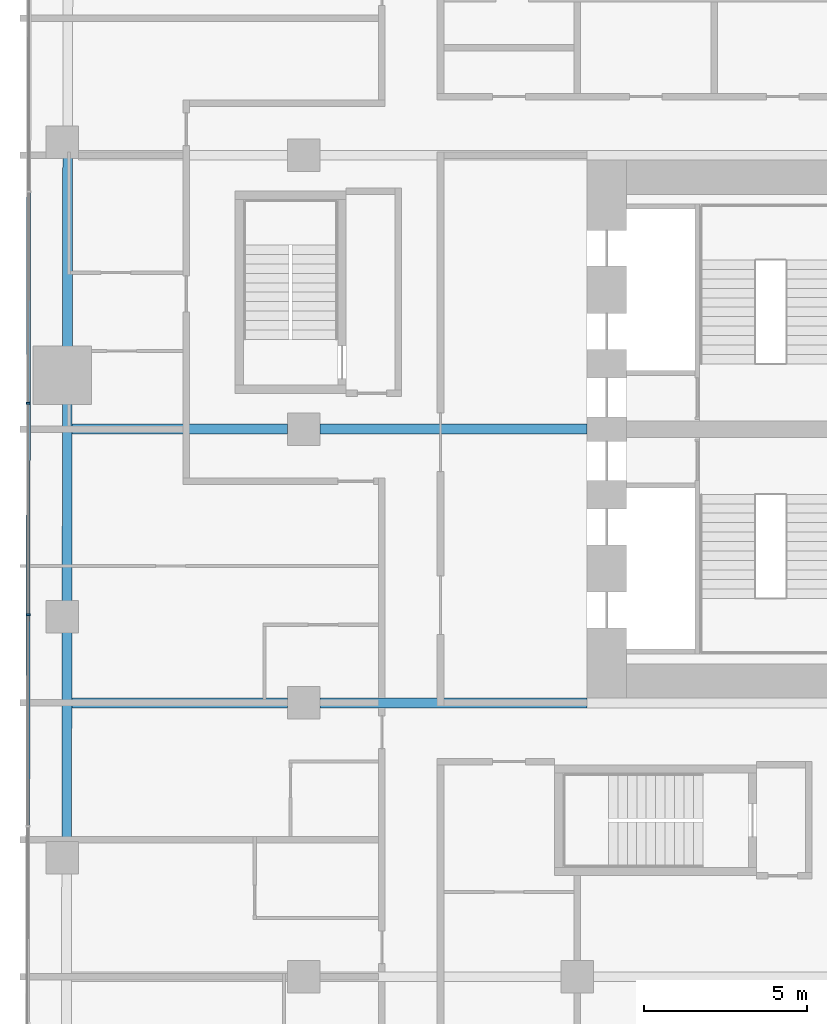
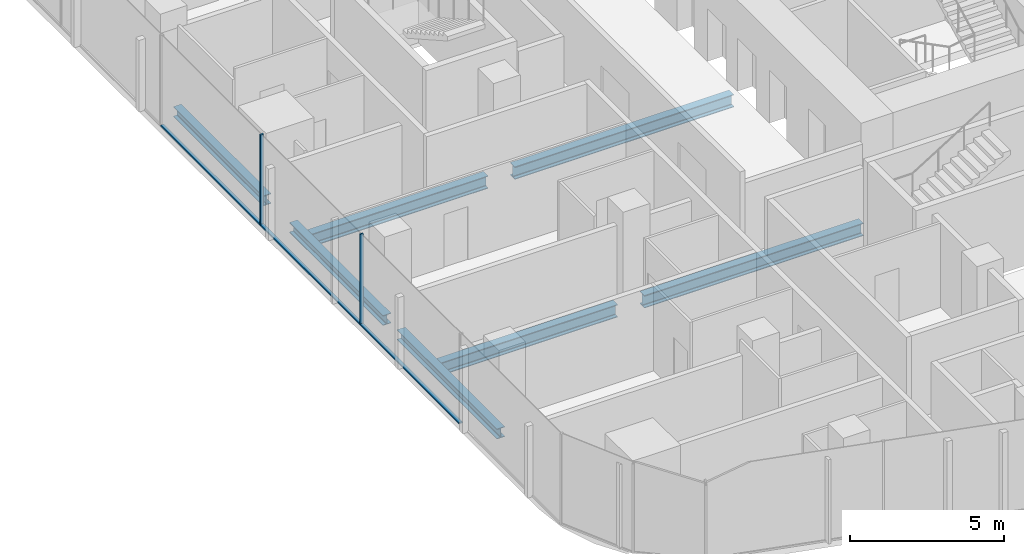
# One storey, part 4 of 26: 7 beams, 5 members, 1 element without a shape of its own.
"""IFC4 building model written with IfcOpenShell, lengths in metres."""

from ifc_helpers import new_model, si_unit, direction, frame, origin, origin_2d, place, context, subcontext, project, spatial, rectangle, i_section, extrude, material, layer, layer_set, material_profile, profile_set, type_object, element, aggregate, save


model = new_model("IFC4")

# Units and contexts
model_context = context("Model", 3, precision=1e-05, world=origin(), true_north=direction((0.0, 1.0)))
body_context = subcontext(model_context, "Body", "Model", "MODEL_VIEW")
ifc_project = project(units=[si_unit("LENGTHUNIT", "METRE"), si_unit("AREAUNIT", "SQUARE_METRE"), si_unit("VOLUMEUNIT", "CUBIC_METRE"), si_unit("PLANEANGLEUNIT", "RADIAN"), si_unit("MASSUNIT", "GRAM", prefix="KILO")], contexts=[model_context])

# Site, building, storey
site_placement = place(None, origin())
site = spatial("IfcSite", under=ifc_project, at=site_placement, CompositionType="ELEMENT")
building_placement = place(site_placement, origin())
building = spatial("IfcBuilding", under=site, at=building_placement, Name="Marenta Gate Hotel Tower", CompositionType="ELEMENT")
storey_placement = place(building_placement, frame((0.0, 0.0, 72.5)))
storey = spatial("IfcBuildingStorey", under=building, at=storey_placement, Name="L16", CompositionType="ELEMENT", Elevation=72.5)

# Beams
ifc_material_1 = material(Name="Steel S355", Category="steel")
ifc_material_profile_1 = material_profile(ifc_material_1, i_section(OverallWidth=0.300048828125, OverallDepth=0.39990234375, WebThickness=0.013427734375, FlangeThickness=0.02392578125, FilletRadius=0.027099609375, at=origin_2d()), Name="HEB 400")
ifc_profile_set_1 = profile_set([ifc_material_profile_1], Name="Steel S355")
beam_type_1 = type_object("IfcBeamType", Name="Edge beam HEB 400", PredefinedType="SPANDREL", material=ifc_profile_set_1)
beam_1_placement = place(storey_placement, frame((-28.267333984375, -4.2919921875, -0.4599609375), z_axis=(0.001393753119, 0.999999028726, 0.0), x_axis=(-0.999999028726, 0.001393753119, 0.0)))
element("IfcBeam", 1, at=beam_1_placement, inside=storey, type_object=beam_type_1, Name="L16-EB-6", PredefinedType="SPANDREL", context=body_context, shape_type="SweptSolid", body=[
    extrude(i_section(OverallWidth=0.300048828125, OverallDepth=0.39990234375, WebThickness=0.013427734375, FlangeThickness=0.02392578125, FilletRadius=0.027099609375, at=origin_2d()), origin(), (0.0, 0.0, 1.0), 6.481201171875),
])
beam_2_placement = place(storey_placement, frame((-28.257080078125, 3.109130859375, -0.4599609375), z_axis=(0.001405226059, 0.999999012669, 0.0), x_axis=(-0.999999012669, 0.001405226059, 0.0)))
element("IfcBeam", 2, at=beam_2_placement, inside=storey, type_object=beam_type_1, Name="L16-EB-7", PredefinedType="SPANDREL", context=body_context, shape_type="SweptSolid", body=[
    extrude(i_section(OverallWidth=0.300048828125, OverallDepth=0.39990234375, WebThickness=0.013427734375, FlangeThickness=0.02392578125, FilletRadius=0.027099609375, at=origin_2d()), origin(), (0.0, 0.0, 1.0), 6.080810546875),
])
beam_3_placement = place(storey_placement, frame((-28.246337890625, 10.909912109375, -0.4599609375), z_axis=(0.001423009483, 0.999998987521, 0.0), x_axis=(-0.999998987521, 0.001423009483, 0.0)))
element("IfcBeam", 3, at=beam_3_placement, inside=storey, type_object=beam_type_1, Name="L16-EB-8", PredefinedType="SPANDREL", context=body_context, shape_type="SweptSolid", body=[
    extrude(i_section(OverallWidth=0.300048828125, OverallDepth=0.39990234375, WebThickness=0.013427734375, FlangeThickness=0.02392578125, FilletRadius=0.027099609375, at=origin_2d()), origin(), (0.0, 0.0, 1.0), 5.833251953125),
])
ifc_material_2 = material(Name="Steel S355", Category="steel")
ifc_material_profile_2 = material_profile(ifc_material_2, i_section(OverallWidth=0.300048828125, OverallDepth=0.5, WebThickness=0.014404296875, FlangeThickness=0.028076171875, FilletRadius=0.027099609375, at=origin_2d()), Name="HEB 500")
ifc_profile_set_2 = profile_set([ifc_material_profile_2], Name="Steel S355")
beam_type_2 = type_object("IfcBeamType", Name="Girder HEB 500", PredefinedType="BEAM", material=ifc_profile_set_2)
beam_4_placement = place(storey_placement, frame((-28.111328125, 0.0, -0.510009765625), z_axis=(1.0, 0.0, 0.0), x_axis=(0.0, 1.0, 0.0)))
element("IfcBeam", 4, at=beam_4_placement, inside=storey, type_object=beam_type_2, Name="L16-GD-8", PredefinedType="BEAM", context=body_context, shape_type="SweptSolid", body=[
    extrude(i_section(OverallWidth=0.300048828125, OverallDepth=0.5, WebThickness=0.014404296875, FlangeThickness=0.028076171875, FilletRadius=0.027099609375, at=origin_2d()), origin(), (0.0, 0.0, 1.0), 6.611328125),
])
beam_5_placement = place(storey_placement, frame((-20.5, 0.0, -0.510009765625), z_axis=(1.0, 0.0, 0.0), x_axis=(0.0, 1.0, 0.0)))
element("IfcBeam", 5, at=beam_5_placement, inside=storey, type_object=beam_type_2, Name="L16-GD-9", PredefinedType="BEAM", context=body_context, shape_type="SweptSolid", body=[
    extrude(i_section(OverallWidth=0.300048828125, OverallDepth=0.5, WebThickness=0.014404296875, FlangeThickness=0.028076171875, FilletRadius=0.027099609375, at=origin_2d()), origin(), (0.0, 0.0, 1.0), 8.199951171875),
])
beam_6_placement = place(storey_placement, frame((-28.099609375, 8.39990234375, -0.510009765625), z_axis=(1.0, 0.0, 0.0), x_axis=(0.0, 1.0, 0.0)))
element("IfcBeam", 6, at=beam_6_placement, inside=storey, type_object=beam_type_2, Name="L16-GD-13", PredefinedType="BEAM", context=body_context, shape_type="SweptSolid", body=[
    extrude(i_section(OverallWidth=0.300048828125, OverallDepth=0.5, WebThickness=0.014404296875, FlangeThickness=0.028076171875, FilletRadius=0.027099609375, at=origin_2d()), origin(), (0.0, 0.0, 1.0), 6.599609375),
])
beam_7_placement = place(storey_placement, frame((-20.5, 8.39990234375, -0.510009765625), z_axis=(1.0, 0.0, 0.0), x_axis=(0.0, 1.0, 0.0)))
element("IfcBeam", 7, at=beam_7_placement, inside=storey, type_object=beam_type_2, Name="L16-GD-14", PredefinedType="BEAM", context=body_context, shape_type="SweptSolid", body=[
    extrude(i_section(OverallWidth=0.300048828125, OverallDepth=0.5, WebThickness=0.014404296875, FlangeThickness=0.028076171875, FilletRadius=0.027099609375, at=origin_2d()), origin(), (0.0, 0.0, 1.0), 8.199951171875),
])

# Curtain wall, members
ifc_material_3 = material(Name="Tinted insulated glass in bronze anodised frame", Category="glass")
ifc_layer = layer(ifc_material_3, 0.1201171875)
ifc_layer_set = layer_set([ifc_layer], Name="Tinted insulated glass in bronze anodised frame")
curtain_wall_type = type_object("IfcCurtainWallType", Name="Tower unitised curtain wall CW1", PredefinedType="NOTDEFINED", material=ifc_layer_set)
curtain_wall_placement = place(storey_placement, origin())
curtain_wall = element("IfcCurtainWall", 8, at=curtain_wall_placement, inside=storey, type_object=curtain_wall_type, Name="CW1 run G03", PredefinedType="NOTDEFINED")
ifc_material_4 = material(Name="Bronze anodised aluminium", Category="aluminium")
ifc_material_profile_3 = material_profile(ifc_material_4, rectangle(XDim=0.1201171875, YDim=0.06005859375, at=origin_2d()), Name="Mullion CW1 60x120 bronze anodised aluminium")
ifc_profile_set_3 = profile_set([ifc_material_profile_3], Name="Bronze anodised aluminium")
member_type_1 = type_object("IfcMemberType", Name="Mullion CW1 60x120 bronze anodised aluminium", PredefinedType="MULLION", material=ifc_profile_set_3)
member_1_placement = place(storey_placement, frame((-29.44287109375, 9.195068359375, 0.0), z_axis=(0.0, 0.0, 1.0), x_axis=(0.99999877316, -0.00156642217, 0.0)))
member_1 = element("IfcMember", 9, at=member_1_placement, type_object=member_type_1, Name="CW1 mullion 4", PredefinedType="MULLION", context=body_context, shape_type="SweptSolid", body=[
    extrude(rectangle(XDim=0.1201171875, YDim=0.06005859375, at=origin_2d()), origin(), (0.0, 0.0, 1.0), 3.60009765625),
])
member_2_placement = place(storey_placement, frame((-29.452880859375, 2.704833984375, 0.0), z_axis=(0.0, 0.0, 1.0), x_axis=(0.99999877316, -0.00156642217, 0.0)))
member_2 = element("IfcMember", 10, at=member_2_placement, type_object=member_type_1, Name="CW1 mullion 5", PredefinedType="MULLION", context=body_context, shape_type="SweptSolid", body=[
    extrude(rectangle(XDim=0.1201171875, YDim=0.06005859375, at=origin_2d()), origin(), (0.0, 0.0, 1.0), 3.60009765625),
])
ifc_material_5 = material(Name="Bronze anodised aluminium", Category="aluminium")
ifc_material_profile_4 = material_profile(ifc_material_5, rectangle(XDim=0.1201171875, YDim=0.06005859375, at=origin_2d()), Name="Transom CW1 60x120 bronze anodised aluminium")
ifc_profile_set_4 = profile_set([ifc_material_profile_4], Name="Bronze anodised aluminium")
member_type_2 = type_object("IfcMemberType", Name="Transom CW1 60x120 bronze anodised aluminium", PredefinedType="USERDEFINED", material=ifc_profile_set_4)
member_3_placement = place(storey_placement, frame((-29.4326171875, 15.655517578125, 0.030029296875), z_axis=(-0.001594591541, -0.999998728638, 0.0), x_axis=(0.999998728638, -0.001594591541, 0.0)))
member_3 = element("IfcMember", 11, at=member_3_placement, type_object=member_type_2, Name="CW1 transom 3.1", ObjectType="TRANSOM", PredefinedType="USERDEFINED", context=body_context, shape_type="SweptSolid", body=[
    extrude(rectangle(XDim=0.1201171875, YDim=0.06005859375, at=origin_2d()), origin(), (0.0, 0.0, 1.0), 6.430419921875),
])
member_4_placement = place(storey_placement, frame((-29.44287109375, 9.1650390625, 0.030029296875), z_axis=(-0.001556625169, -0.999998788458, 0.0), x_axis=(0.999998788458, -0.001556625169, 0.0)))
member_4 = element("IfcMember", 12, at=member_4_placement, type_object=member_type_2, Name="CW1 transom 4.1", ObjectType="TRANSOM", PredefinedType="USERDEFINED", context=body_context, shape_type="SweptSolid", body=[
    extrude(rectangle(XDim=0.1201171875, YDim=0.06005859375, at=origin_2d()), origin(), (0.0, 0.0, 1.0), 6.430419921875),
])
member_5_placement = place(storey_placement, frame((-29.453125, 2.6748046875, 0.030029296875), z_axis=(-0.001556625169, -0.999998788458, 0.0), x_axis=(0.999998788458, -0.001556625169, 0.0)))
member_5 = element("IfcMember", 13, at=member_5_placement, type_object=member_type_2, Name="CW1 transom 5.1", ObjectType="TRANSOM", PredefinedType="USERDEFINED", context=body_context, shape_type="SweptSolid", body=[
    extrude(rectangle(XDim=0.1201171875, YDim=0.06005859375, at=origin_2d()), origin(), (0.0, 0.0, 1.0), 6.430419921875),
])
aggregate(curtain_wall, [member_1, member_2, member_3, member_4, member_5])

save(model, "model.ifc")
